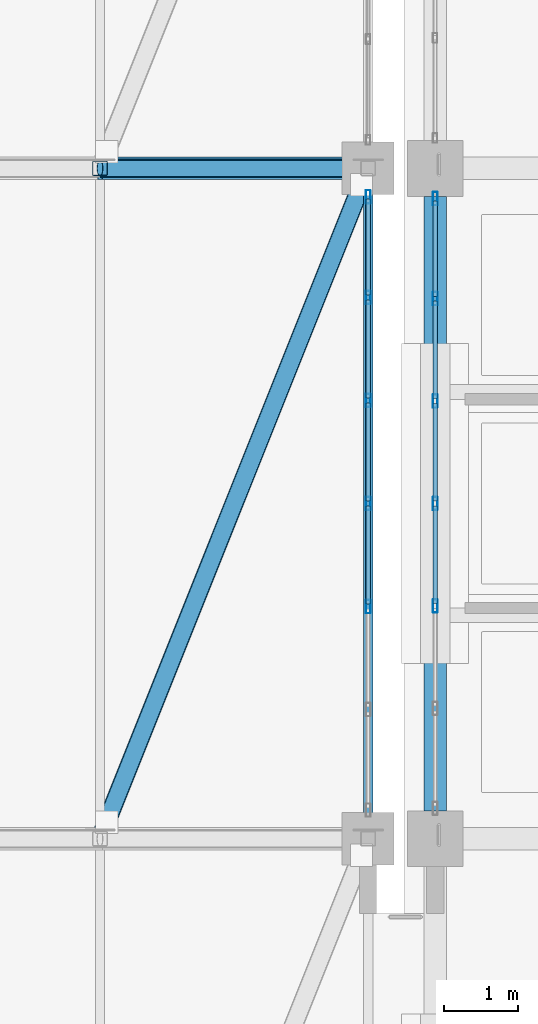
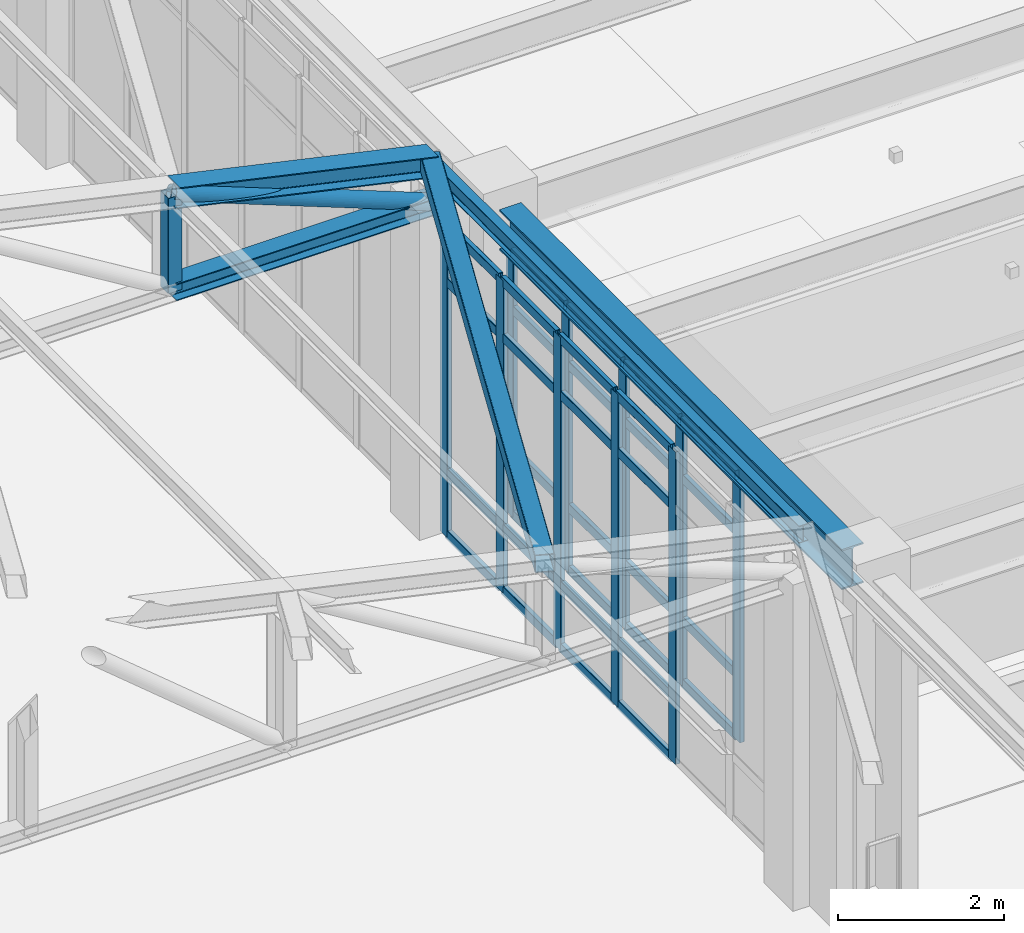
# One storey, part 46 of 139: 47 members, 2 beams, 2 elements without a shape of their own.
"""IFC4 building model written with IfcOpenShell, lengths in metres."""

from ifc_helpers import new_model, si_unit, direction, frame, origin, origin_2d, place, context, subcontext, project, spatial, hollow_rectangle, hollow_circle, i_section, extrude, material, material_profile, profile_set, type_object, element, aggregate, save


model = new_model("IFC4")

# Units and contexts
model_context = context("Model", 3, precision=1e-05, world=origin(), true_north=direction((0.0, 1.0)))
body_context = subcontext(model_context, "Body", "Model", "MODEL_VIEW")
ifc_project = project(units=[si_unit("LENGTHUNIT", "METRE"), si_unit("AREAUNIT", "SQUARE_METRE"), si_unit("VOLUMEUNIT", "CUBIC_METRE"), si_unit("PLANEANGLEUNIT", "RADIAN"), si_unit("MASSUNIT", "GRAM", prefix="KILO")], contexts=[model_context])

# Site, building, storey
site_placement = place(None, origin())
site = spatial("IfcSite", under=ifc_project, at=site_placement, CompositionType="ELEMENT")
building_placement = place(site_placement, origin())
building = spatial("IfcBuilding", under=site, at=building_placement, Name="Canglan Escarpment Cableway Terminal", CompositionType="ELEMENT")
storey_placement = place(building_placement, frame((0.0, 0.0, 14.39990234375)))
storey = spatial("IfcBuildingStorey", under=building, at=storey_placement, Name="L03", CompositionType="ELEMENT", Elevation=14.39990234375)

# Beams
ifc_material_1 = material(Name="Steel Q355C", Category="steel")
ifc_material_profile_1 = material_profile(ifc_material_1, i_section(OverallWidth=0.302001953125, OverallDepth=0.593994140625, WebThickness=0.013916015625, FlangeThickness=0.02294921875, FilletRadius=0.028076171875, at=origin_2d()), Name="HM 594x302x14x23")
ifc_profile_set_1 = profile_set([ifc_material_profile_1], Name="Steel Q355C")
beam_type_1 = type_object("IfcBeamType", Name="BM-HM594", PredefinedType="BEAM", material=ifc_profile_set_1)
beam_1_placement = place(storey_placement, frame((137.60009765625, 52.375, 4.203125), z_axis=(0.0, 1.0, 0.0), x_axis=(-1.0, 0.0, 0.0)))
element("IfcBeam", 1, at=beam_1_placement, inside=storey, type_object=beam_type_1, Name="Primary transverse girder B-07", PredefinedType="BEAM", context=body_context, shape_type="SweptSolid", body=[
    extrude(i_section(OverallWidth=0.302001953125, OverallDepth=0.593994140625, WebThickness=0.013916015625, FlangeThickness=0.02294921875, FilletRadius=0.028076171875, at=origin_2d()), origin(), (0.0, 0.0, 1.0), 8.25),
])
ifc_material_2 = material(Name="Steel Q355B", Category="steel")
ifc_material_profile_2 = material_profile(ifc_material_2, i_section(OverallWidth=0.300048828125, OverallDepth=0.300048828125, WebThickness=0.010009765625, FlangeThickness=0.014892578125, FilletRadius=0.01806640625, at=origin_2d()), Name="HW 300x300x10x15")
ifc_profile_set_2 = profile_set([ifc_material_profile_2], Name="Steel Q355B")
beam_type_2 = type_object("IfcBeamType", Name="BM-PRATT-TOP-HW300", PredefinedType="BEAM", material=ifc_profile_set_2)
beam_2_placement = place(storey_placement, frame((133.10009765625, 61.0, 6.050048828125), z_axis=(0.976182386713, 0.0, -0.216951487369), x_axis=(0.0, 1.0, 0.0)))
element("IfcBeam", 2, at=beam_2_placement, inside=storey, type_object=beam_type_2, Name="Cabin Garage ROOF TRUSS top chord PT-TC1", PredefinedType="BEAM", context=body_context, shape_type="SweptSolid", body=[
    extrude(i_section(OverallWidth=0.300048828125, OverallDepth=0.300048828125, WebThickness=0.010009765625, FlangeThickness=0.014892578125, FilletRadius=0.01806640625, at=origin_2d()), origin(), (0.0, 0.0, 1.0), 3.687744140625),
])

# Curtain wall, members
ifc_material_3 = material(Name="Anodized bronze aluminium and Low-E double glazing", Category="aluminium")
curtain_wall_type_1 = type_object("IfcCurtainWallType", Name="CW-BAY-8300x4600", PredefinedType="NOTDEFINED", material=ifc_material_3)
curtain_wall_1_placement = place(storey_placement, origin())
curtain_wall_1 = element("IfcCurtainWall", 3, at=curtain_wall_1_placement, inside=storey, type_object=curtain_wall_type_1, Name="Classical bay-between-piers glazed curtain wall CW-45", PredefinedType="NOTDEFINED")
ifc_material_4 = material(Name="Thermally broken anodized aluminium 6063-T6", Category="aluminium")
ifc_material_profile_3 = material_profile(ifc_material_4, hollow_rectangle(XDim=0.06494140625, YDim=0.179931640625, WallThickness=0.00390625, InnerFilletRadius=0.00390625, OuterFilletRadius=0.008056640625, at=origin_2d()), Name="ALU-MULL 65x180x4")
ifc_profile_set_3 = profile_set([ifc_material_profile_3], Name="Thermally broken anodized aluminium 6063-T6")
member_type_1 = type_object("IfcMemberType", Name="CWM-03", PredefinedType="MULLION", material=ifc_profile_set_3)
member_1_placement = place(storey_placement, frame((136.699951171875, 55.11669921875, 0.0), z_axis=(0.0, 0.0, 1.0), x_axis=(-1.0, 0.0, 0.0)))
member_1 = element("IfcMember", 4, at=member_1_placement, type_object=member_type_1, Name="CW-45 mullion 3", PredefinedType="MULLION", context=body_context, shape_type="SweptSolid", body=[
    extrude(hollow_rectangle(XDim=0.06494140625, YDim=0.179931640625, WallThickness=0.00390625, InnerFilletRadius=0.00390625, OuterFilletRadius=0.008056640625, at=origin_2d()), origin(), (0.0, 0.0, 1.0), 4.60009765625),
])
member_2_placement = place(storey_placement, frame((136.699951171875, 56.5, 0.0), z_axis=(0.0, 0.0, 1.0), x_axis=(-1.0, 0.0, 0.0)))
member_2 = element("IfcMember", 5, at=member_2_placement, type_object=member_type_1, Name="CW-45 mullion 4", PredefinedType="MULLION", context=body_context, shape_type="SweptSolid", body=[
    extrude(hollow_rectangle(XDim=0.06494140625, YDim=0.179931640625, WallThickness=0.00390625, InnerFilletRadius=0.00390625, OuterFilletRadius=0.008056640625, at=origin_2d()), origin(), (0.0, 0.0, 1.0), 4.60009765625),
])
member_3_placement = place(storey_placement, frame((136.699951171875, 57.88330078125, 0.0), z_axis=(0.0, 0.0, 1.0), x_axis=(-1.0, 0.0, 0.0)))
member_3 = element("IfcMember", 6, at=member_3_placement, type_object=member_type_1, Name="CW-45 mullion 5", PredefinedType="MULLION", context=body_context, shape_type="SweptSolid", body=[
    extrude(hollow_rectangle(XDim=0.06494140625, YDim=0.179931640625, WallThickness=0.00390625, InnerFilletRadius=0.00390625, OuterFilletRadius=0.008056640625, at=origin_2d()), origin(), (0.0, 0.0, 1.0), 4.60009765625),
])
member_4_placement = place(storey_placement, frame((136.699951171875, 59.2666015625, 0.0), z_axis=(0.0, 0.0, 1.0), x_axis=(-1.0, 0.0, 0.0)))
member_4 = element("IfcMember", 7, at=member_4_placement, type_object=member_type_1, Name="CW-45 mullion 6", PredefinedType="MULLION", context=body_context, shape_type="SweptSolid", body=[
    extrude(hollow_rectangle(XDim=0.06494140625, YDim=0.179931640625, WallThickness=0.00390625, InnerFilletRadius=0.00390625, OuterFilletRadius=0.008056640625, at=origin_2d()), origin(), (0.0, 0.0, 1.0), 4.60009765625),
])
member_5_placement = place(storey_placement, frame((136.699951171875, 60.617431640625, 0.0), z_axis=(0.0, 0.0, 1.0), x_axis=(-1.0, 0.0, 0.0)))
member_5 = element("IfcMember", 8, at=member_5_placement, type_object=member_type_1, Name="CW-45 mullion 7", PredefinedType="MULLION", context=body_context, shape_type="SweptSolid", body=[
    extrude(hollow_rectangle(XDim=0.06494140625, YDim=0.179931640625, WallThickness=0.00390625, InnerFilletRadius=0.00390625, OuterFilletRadius=0.008056640625, at=origin_2d()), origin(), (0.0, 0.0, 1.0), 4.60009765625),
])

curtain_wall_type_2 = type_object("IfcCurtainWallType", Name="CW-BAY-8250x3900", PredefinedType="NOTDEFINED", material=ifc_material_3)
curtain_wall_2_placement = place(storey_placement, origin())
curtain_wall_2 = element("IfcCurtainWall", 9, at=curtain_wall_2_placement, inside=storey, type_object=curtain_wall_type_2, Name="Classical bay-between-piers glazed curtain wall CW-62", PredefinedType="NOTDEFINED")
member_6_placement = place(storey_placement, frame((137.60009765625, 60.592529296875, 0.0), z_axis=(0.0, 0.0, 1.0), x_axis=(1.0, 0.0, 0.0)))
member_6 = element("IfcMember", 10, at=member_6_placement, type_object=member_type_1, Name="CW-62 mullion 1", PredefinedType="MULLION", context=body_context, shape_type="SweptSolid", body=[
    extrude(hollow_rectangle(XDim=0.06494140625, YDim=0.179931640625, WallThickness=0.00390625, InnerFilletRadius=0.00390625, OuterFilletRadius=0.008056640625, at=origin_2d()), origin(), (0.0, 0.0, 1.0), 3.89111328125),
])
member_7_placement = place(storey_placement, frame((137.60009765625, 59.25, 0.0), z_axis=(0.0, 0.0, 1.0), x_axis=(1.0, 0.0, 0.0)))
member_7 = element("IfcMember", 11, at=member_7_placement, type_object=member_type_1, Name="CW-62 mullion 2", PredefinedType="MULLION", context=body_context, shape_type="SweptSolid", body=[
    extrude(hollow_rectangle(XDim=0.06494140625, YDim=0.179931640625, WallThickness=0.00390625, InnerFilletRadius=0.00390625, OuterFilletRadius=0.008056640625, at=origin_2d()), origin(), (0.0, 0.0, 1.0), 3.89111328125),
])
member_8_placement = place(storey_placement, frame((137.60009765625, 57.875, 0.0), z_axis=(0.0, 0.0, 1.0), x_axis=(1.0, 0.0, 0.0)))
member_8 = element("IfcMember", 12, at=member_8_placement, type_object=member_type_1, Name="CW-62 mullion 3", PredefinedType="MULLION", context=body_context, shape_type="SweptSolid", body=[
    extrude(hollow_rectangle(XDim=0.06494140625, YDim=0.179931640625, WallThickness=0.00390625, InnerFilletRadius=0.00390625, OuterFilletRadius=0.008056640625, at=origin_2d()), origin(), (0.0, 0.0, 1.0), 3.89111328125),
])
member_9_placement = place(storey_placement, frame((137.60009765625, 56.5, 0.0), z_axis=(0.0, 0.0, 1.0), x_axis=(1.0, 0.0, 0.0)))
member_9 = element("IfcMember", 13, at=member_9_placement, type_object=member_type_1, Name="CW-62 mullion 4", PredefinedType="MULLION", context=body_context, shape_type="SweptSolid", body=[
    extrude(hollow_rectangle(XDim=0.06494140625, YDim=0.179931640625, WallThickness=0.00390625, InnerFilletRadius=0.00390625, OuterFilletRadius=0.008056640625, at=origin_2d()), origin(), (0.0, 0.0, 1.0), 3.89111328125),
])
member_10_placement = place(storey_placement, frame((137.60009765625, 55.125, 0.0), z_axis=(0.0, 0.0, 1.0), x_axis=(1.0, 0.0, 0.0)))
member_10 = element("IfcMember", 14, at=member_10_placement, type_object=member_type_1, Name="CW-62 mullion 5", PredefinedType="MULLION", context=body_context, shape_type="SweptSolid", body=[
    extrude(hollow_rectangle(XDim=0.06494140625, YDim=0.179931640625, WallThickness=0.00390625, InnerFilletRadius=0.00390625, OuterFilletRadius=0.008056640625, at=origin_2d()), origin(), (0.0, 0.0, 1.0), 3.89111328125),
])

# Member
ifc_material_profile_4 = material_profile(ifc_material_4, hollow_rectangle(XDim=0.06494140625, YDim=0.139892578125, WallThickness=0.00341796875, InnerFilletRadius=0.00341796875, OuterFilletRadius=0.007080078125, at=origin_2d()), Name="ALU-TRAN 65x140x3.5")
ifc_profile_set_4 = profile_set([ifc_material_profile_4], Name="Thermally broken anodized aluminium 6063-T6")
member_type_2 = type_object("IfcMemberType", Name="CWT-03", PredefinedType="USERDEFINED", material=ifc_profile_set_4)
member_11_placement = place(storey_placement, frame((136.699951171875, 55.149169921875, 0.03271484375), z_axis=(0.0, 1.0, 0.0), x_axis=(-1.0, 0.0, 0.0)))
member_11 = element("IfcMember", 15, at=member_11_placement, type_object=member_type_2, Name="CW-45 transom 3.1", ObjectType="TRANSOM", PredefinedType="USERDEFINED", context=body_context, shape_type="SweptSolid", body=[
    extrude(hollow_rectangle(XDim=0.06494140625, YDim=0.139892578125, WallThickness=0.00341796875, InnerFilletRadius=0.00341796875, OuterFilletRadius=0.007080078125, at=origin_2d()), origin(), (0.0, 0.0, 1.0), 1.318359375),
])

member_12_placement = place(storey_placement, frame((136.699951171875, 55.149169921875, 0.9501953125), z_axis=(0.0, 1.0, 0.0), x_axis=(-1.0, 0.0, 0.0)))
member_12 = element("IfcMember", 16, at=member_12_placement, type_object=member_type_2, Name="CW-45 transom 3.2", ObjectType="TRANSOM", PredefinedType="USERDEFINED", context=body_context, shape_type="SweptSolid", body=[
    extrude(hollow_rectangle(XDim=0.06494140625, YDim=0.139892578125, WallThickness=0.00341796875, InnerFilletRadius=0.00341796875, OuterFilletRadius=0.007080078125, at=origin_2d()), origin(), (0.0, 0.0, 1.0), 1.318359375),
])

member_13_placement = place(storey_placement, frame((136.699951171875, 55.149169921875, 3.75), z_axis=(0.0, 1.0, 0.0), x_axis=(-1.0, 0.0, 0.0)))
member_13 = element("IfcMember", 17, at=member_13_placement, type_object=member_type_2, Name="CW-45 transom 3.3", ObjectType="TRANSOM", PredefinedType="USERDEFINED", context=body_context, shape_type="SweptSolid", body=[
    extrude(hollow_rectangle(XDim=0.06494140625, YDim=0.139892578125, WallThickness=0.00341796875, InnerFilletRadius=0.00341796875, OuterFilletRadius=0.007080078125, at=origin_2d()), origin(), (0.0, 0.0, 1.0), 1.318359375),
])

member_14_placement = place(storey_placement, frame((136.699951171875, 55.149169921875, 4.567626953125), z_axis=(0.0, 1.0, 0.0), x_axis=(-1.0, 0.0, 0.0)))
member_14 = element("IfcMember", 18, at=member_14_placement, type_object=member_type_2, Name="CW-45 transom 3.4", ObjectType="TRANSOM", PredefinedType="USERDEFINED", context=body_context, shape_type="SweptSolid", body=[
    extrude(hollow_rectangle(XDim=0.06494140625, YDim=0.139892578125, WallThickness=0.00341796875, InnerFilletRadius=0.00341796875, OuterFilletRadius=0.007080078125, at=origin_2d()), origin(), (0.0, 0.0, 1.0), 1.318359375),
])

member_15_placement = place(storey_placement, frame((136.699951171875, 56.532470703125, 0.03271484375), z_axis=(0.0, 1.0, 0.0), x_axis=(-1.0, 0.0, 0.0)))
member_15 = element("IfcMember", 19, at=member_15_placement, type_object=member_type_2, Name="CW-45 transom 4.1", ObjectType="TRANSOM", PredefinedType="USERDEFINED", context=body_context, shape_type="SweptSolid", body=[
    extrude(hollow_rectangle(XDim=0.06494140625, YDim=0.139892578125, WallThickness=0.00341796875, InnerFilletRadius=0.00341796875, OuterFilletRadius=0.007080078125, at=origin_2d()), origin(), (0.0, 0.0, 1.0), 1.318359375),
])

member_16_placement = place(storey_placement, frame((136.699951171875, 56.532470703125, 0.9501953125), z_axis=(0.0, 1.0, 0.0), x_axis=(-1.0, 0.0, 0.0)))
member_16 = element("IfcMember", 20, at=member_16_placement, type_object=member_type_2, Name="CW-45 transom 4.2", ObjectType="TRANSOM", PredefinedType="USERDEFINED", context=body_context, shape_type="SweptSolid", body=[
    extrude(hollow_rectangle(XDim=0.06494140625, YDim=0.139892578125, WallThickness=0.00341796875, InnerFilletRadius=0.00341796875, OuterFilletRadius=0.007080078125, at=origin_2d()), origin(), (0.0, 0.0, 1.0), 1.318359375),
])

member_17_placement = place(storey_placement, frame((136.699951171875, 56.532470703125, 3.75), z_axis=(0.0, 1.0, 0.0), x_axis=(-1.0, 0.0, 0.0)))
member_17 = element("IfcMember", 21, at=member_17_placement, type_object=member_type_2, Name="CW-45 transom 4.3", ObjectType="TRANSOM", PredefinedType="USERDEFINED", context=body_context, shape_type="SweptSolid", body=[
    extrude(hollow_rectangle(XDim=0.06494140625, YDim=0.139892578125, WallThickness=0.00341796875, InnerFilletRadius=0.00341796875, OuterFilletRadius=0.007080078125, at=origin_2d()), origin(), (0.0, 0.0, 1.0), 1.318359375),
])

member_18_placement = place(storey_placement, frame((136.699951171875, 56.532470703125, 4.567626953125), z_axis=(0.0, 1.0, 0.0), x_axis=(-1.0, 0.0, 0.0)))
member_18 = element("IfcMember", 22, at=member_18_placement, type_object=member_type_2, Name="CW-45 transom 4.4", ObjectType="TRANSOM", PredefinedType="USERDEFINED", context=body_context, shape_type="SweptSolid", body=[
    extrude(hollow_rectangle(XDim=0.06494140625, YDim=0.139892578125, WallThickness=0.00341796875, InnerFilletRadius=0.00341796875, OuterFilletRadius=0.007080078125, at=origin_2d()), origin(), (0.0, 0.0, 1.0), 1.318359375),
])

member_19_placement = place(storey_placement, frame((136.699951171875, 57.915771484375, 0.03271484375), z_axis=(0.0, 1.0, 0.0), x_axis=(-1.0, 0.0, 0.0)))
member_19 = element("IfcMember", 23, at=member_19_placement, type_object=member_type_2, Name="CW-45 transom 5.1", ObjectType="TRANSOM", PredefinedType="USERDEFINED", context=body_context, shape_type="SweptSolid", body=[
    extrude(hollow_rectangle(XDim=0.06494140625, YDim=0.139892578125, WallThickness=0.00341796875, InnerFilletRadius=0.00341796875, OuterFilletRadius=0.007080078125, at=origin_2d()), origin(), (0.0, 0.0, 1.0), 1.318359375),
])

member_20_placement = place(storey_placement, frame((136.699951171875, 57.915771484375, 0.9501953125), z_axis=(0.0, 1.0, 0.0), x_axis=(-1.0, 0.0, 0.0)))
member_20 = element("IfcMember", 24, at=member_20_placement, type_object=member_type_2, Name="CW-45 transom 5.2", ObjectType="TRANSOM", PredefinedType="USERDEFINED", context=body_context, shape_type="SweptSolid", body=[
    extrude(hollow_rectangle(XDim=0.06494140625, YDim=0.139892578125, WallThickness=0.00341796875, InnerFilletRadius=0.00341796875, OuterFilletRadius=0.007080078125, at=origin_2d()), origin(), (0.0, 0.0, 1.0), 1.318359375),
])

member_21_placement = place(storey_placement, frame((136.699951171875, 57.915771484375, 3.75), z_axis=(0.0, 1.0, 0.0), x_axis=(-1.0, 0.0, 0.0)))
member_21 = element("IfcMember", 25, at=member_21_placement, type_object=member_type_2, Name="CW-45 transom 5.3", ObjectType="TRANSOM", PredefinedType="USERDEFINED", context=body_context, shape_type="SweptSolid", body=[
    extrude(hollow_rectangle(XDim=0.06494140625, YDim=0.139892578125, WallThickness=0.00341796875, InnerFilletRadius=0.00341796875, OuterFilletRadius=0.007080078125, at=origin_2d()), origin(), (0.0, 0.0, 1.0), 1.318359375),
])

member_22_placement = place(storey_placement, frame((136.699951171875, 57.915771484375, 4.567626953125), z_axis=(0.0, 1.0, 0.0), x_axis=(-1.0, 0.0, 0.0)))
member_22 = element("IfcMember", 26, at=member_22_placement, type_object=member_type_2, Name="CW-45 transom 5.4", ObjectType="TRANSOM", PredefinedType="USERDEFINED", context=body_context, shape_type="SweptSolid", body=[
    extrude(hollow_rectangle(XDim=0.06494140625, YDim=0.139892578125, WallThickness=0.00341796875, InnerFilletRadius=0.00341796875, OuterFilletRadius=0.007080078125, at=origin_2d()), origin(), (0.0, 0.0, 1.0), 1.318359375),
])

member_23_placement = place(storey_placement, frame((136.699951171875, 59.299072265625, 0.03271484375), z_axis=(0.0, 1.0, 0.0), x_axis=(-1.0, 0.0, 0.0)))
member_23 = element("IfcMember", 27, at=member_23_placement, type_object=member_type_2, Name="CW-45 transom 6.1", ObjectType="TRANSOM", PredefinedType="USERDEFINED", context=body_context, shape_type="SweptSolid", body=[
    extrude(hollow_rectangle(XDim=0.06494140625, YDim=0.139892578125, WallThickness=0.00341796875, InnerFilletRadius=0.00341796875, OuterFilletRadius=0.007080078125, at=origin_2d()), origin(), (0.0, 0.0, 1.0), 1.285888671875),
])

member_24_placement = place(storey_placement, frame((136.699951171875, 59.299072265625, 0.9501953125), z_axis=(0.0, 1.0, 0.0), x_axis=(-1.0, 0.0, 0.0)))
member_24 = element("IfcMember", 28, at=member_24_placement, type_object=member_type_2, Name="CW-45 transom 6.2", ObjectType="TRANSOM", PredefinedType="USERDEFINED", context=body_context, shape_type="SweptSolid", body=[
    extrude(hollow_rectangle(XDim=0.06494140625, YDim=0.139892578125, WallThickness=0.00341796875, InnerFilletRadius=0.00341796875, OuterFilletRadius=0.007080078125, at=origin_2d()), origin(), (0.0, 0.0, 1.0), 1.285888671875),
])

member_25_placement = place(storey_placement, frame((136.699951171875, 59.299072265625, 3.75), z_axis=(0.0, 1.0, 0.0), x_axis=(-1.0, 0.0, 0.0)))
member_25 = element("IfcMember", 29, at=member_25_placement, type_object=member_type_2, Name="CW-45 transom 6.3", ObjectType="TRANSOM", PredefinedType="USERDEFINED", context=body_context, shape_type="SweptSolid", body=[
    extrude(hollow_rectangle(XDim=0.06494140625, YDim=0.139892578125, WallThickness=0.00341796875, InnerFilletRadius=0.00341796875, OuterFilletRadius=0.007080078125, at=origin_2d()), origin(), (0.0, 0.0, 1.0), 1.285888671875),
])

member_26_placement = place(storey_placement, frame((136.699951171875, 59.299072265625, 4.567626953125), z_axis=(0.0, 1.0, 0.0), x_axis=(-1.0, 0.0, 0.0)))
member_26 = element("IfcMember", 30, at=member_26_placement, type_object=member_type_2, Name="CW-45 transom 6.4", ObjectType="TRANSOM", PredefinedType="USERDEFINED", context=body_context, shape_type="SweptSolid", body=[
    extrude(hollow_rectangle(XDim=0.06494140625, YDim=0.139892578125, WallThickness=0.00341796875, InnerFilletRadius=0.00341796875, OuterFilletRadius=0.007080078125, at=origin_2d()), origin(), (0.0, 0.0, 1.0), 1.285888671875),
])

aggregate(curtain_wall_1, [member_1, member_2, member_3, member_4, member_5, member_11, member_12, member_13, member_14, member_15, member_16, member_17, member_18, member_19, member_20, member_21, member_22, member_23, member_24, member_25, member_26])

member_27_placement = place(storey_placement, frame((137.60009765625, 60.56005859375, 0.03271484375), z_axis=(0.0, -1.0, 0.0), x_axis=(1.0, 0.0, 0.0)))
member_27 = element("IfcMember", 31, at=member_27_placement, type_object=member_type_2, Name="CW-62 transom 1.1", ObjectType="TRANSOM", PredefinedType="USERDEFINED", context=body_context, shape_type="SweptSolid", body=[
    extrude(hollow_rectangle(XDim=0.06494140625, YDim=0.139892578125, WallThickness=0.00341796875, InnerFilletRadius=0.00341796875, OuterFilletRadius=0.007080078125, at=origin_2d()), origin(), (0.0, 0.0, 1.0), 1.277587890625),
])

member_28_placement = place(storey_placement, frame((137.60009765625, 60.56005859375, 0.9501953125), z_axis=(0.0, -1.0, 0.0), x_axis=(1.0, 0.0, 0.0)))
member_28 = element("IfcMember", 32, at=member_28_placement, type_object=member_type_2, Name="CW-62 transom 1.2", ObjectType="TRANSOM", PredefinedType="USERDEFINED", context=body_context, shape_type="SweptSolid", body=[
    extrude(hollow_rectangle(XDim=0.06494140625, YDim=0.139892578125, WallThickness=0.00341796875, InnerFilletRadius=0.00341796875, OuterFilletRadius=0.007080078125, at=origin_2d()), origin(), (0.0, 0.0, 1.0), 1.277587890625),
])

member_29_placement = place(storey_placement, frame((137.60009765625, 60.56005859375, 3.041015625), z_axis=(0.0, -1.0, 0.0), x_axis=(1.0, 0.0, 0.0)))
member_29 = element("IfcMember", 33, at=member_29_placement, type_object=member_type_2, Name="CW-62 transom 1.3", ObjectType="TRANSOM", PredefinedType="USERDEFINED", context=body_context, shape_type="SweptSolid", body=[
    extrude(hollow_rectangle(XDim=0.06494140625, YDim=0.139892578125, WallThickness=0.00341796875, InnerFilletRadius=0.00341796875, OuterFilletRadius=0.007080078125, at=origin_2d()), origin(), (0.0, 0.0, 1.0), 1.277587890625),
])

member_30_placement = place(storey_placement, frame((137.60009765625, 60.56005859375, 3.858642578125), z_axis=(0.0, -1.0, 0.0), x_axis=(1.0, 0.0, 0.0)))
member_30 = element("IfcMember", 34, at=member_30_placement, type_object=member_type_2, Name="CW-62 transom 1.4", ObjectType="TRANSOM", PredefinedType="USERDEFINED", context=body_context, shape_type="SweptSolid", body=[
    extrude(hollow_rectangle(XDim=0.06494140625, YDim=0.139892578125, WallThickness=0.00341796875, InnerFilletRadius=0.00341796875, OuterFilletRadius=0.007080078125, at=origin_2d()), origin(), (0.0, 0.0, 1.0), 1.277587890625),
])

member_31_placement = place(storey_placement, frame((137.60009765625, 59.217529296875, 0.03271484375), z_axis=(0.0, -1.0, 0.0), x_axis=(1.0, 0.0, 0.0)))
member_31 = element("IfcMember", 35, at=member_31_placement, type_object=member_type_2, Name="CW-62 transom 2.1", ObjectType="TRANSOM", PredefinedType="USERDEFINED", context=body_context, shape_type="SweptSolid", body=[
    extrude(hollow_rectangle(XDim=0.06494140625, YDim=0.139892578125, WallThickness=0.00341796875, InnerFilletRadius=0.00341796875, OuterFilletRadius=0.007080078125, at=origin_2d()), origin(), (0.0, 0.0, 1.0), 1.31005859375),
])

member_32_placement = place(storey_placement, frame((137.60009765625, 59.217529296875, 0.9501953125), z_axis=(0.0, -1.0, 0.0), x_axis=(1.0, 0.0, 0.0)))
member_32 = element("IfcMember", 36, at=member_32_placement, type_object=member_type_2, Name="CW-62 transom 2.2", ObjectType="TRANSOM", PredefinedType="USERDEFINED", context=body_context, shape_type="SweptSolid", body=[
    extrude(hollow_rectangle(XDim=0.06494140625, YDim=0.139892578125, WallThickness=0.00341796875, InnerFilletRadius=0.00341796875, OuterFilletRadius=0.007080078125, at=origin_2d()), origin(), (0.0, 0.0, 1.0), 1.31005859375),
])

member_33_placement = place(storey_placement, frame((137.60009765625, 59.217529296875, 3.041015625), z_axis=(0.0, -1.0, 0.0), x_axis=(1.0, 0.0, 0.0)))
member_33 = element("IfcMember", 37, at=member_33_placement, type_object=member_type_2, Name="CW-62 transom 2.3", ObjectType="TRANSOM", PredefinedType="USERDEFINED", context=body_context, shape_type="SweptSolid", body=[
    extrude(hollow_rectangle(XDim=0.06494140625, YDim=0.139892578125, WallThickness=0.00341796875, InnerFilletRadius=0.00341796875, OuterFilletRadius=0.007080078125, at=origin_2d()), origin(), (0.0, 0.0, 1.0), 1.31005859375),
])

member_34_placement = place(storey_placement, frame((137.60009765625, 59.217529296875, 3.858642578125), z_axis=(0.0, -1.0, 0.0), x_axis=(1.0, 0.0, 0.0)))
member_34 = element("IfcMember", 38, at=member_34_placement, type_object=member_type_2, Name="CW-62 transom 2.4", ObjectType="TRANSOM", PredefinedType="USERDEFINED", context=body_context, shape_type="SweptSolid", body=[
    extrude(hollow_rectangle(XDim=0.06494140625, YDim=0.139892578125, WallThickness=0.00341796875, InnerFilletRadius=0.00341796875, OuterFilletRadius=0.007080078125, at=origin_2d()), origin(), (0.0, 0.0, 1.0), 1.31005859375),
])

member_35_placement = place(storey_placement, frame((137.60009765625, 57.842529296875, 0.03271484375), z_axis=(0.0, -1.0, 0.0), x_axis=(1.0, 0.0, 0.0)))
member_35 = element("IfcMember", 39, at=member_35_placement, type_object=member_type_2, Name="CW-62 transom 3.1", ObjectType="TRANSOM", PredefinedType="USERDEFINED", context=body_context, shape_type="SweptSolid", body=[
    extrude(hollow_rectangle(XDim=0.06494140625, YDim=0.139892578125, WallThickness=0.00341796875, InnerFilletRadius=0.00341796875, OuterFilletRadius=0.007080078125, at=origin_2d()), origin(), (0.0, 0.0, 1.0), 1.31005859375),
])

member_36_placement = place(storey_placement, frame((137.60009765625, 57.842529296875, 0.9501953125), z_axis=(0.0, -1.0, 0.0), x_axis=(1.0, 0.0, 0.0)))
member_36 = element("IfcMember", 40, at=member_36_placement, type_object=member_type_2, Name="CW-62 transom 3.2", ObjectType="TRANSOM", PredefinedType="USERDEFINED", context=body_context, shape_type="SweptSolid", body=[
    extrude(hollow_rectangle(XDim=0.06494140625, YDim=0.139892578125, WallThickness=0.00341796875, InnerFilletRadius=0.00341796875, OuterFilletRadius=0.007080078125, at=origin_2d()), origin(), (0.0, 0.0, 1.0), 1.31005859375),
])

member_37_placement = place(storey_placement, frame((137.60009765625, 57.842529296875, 3.041015625), z_axis=(0.0, -1.0, 0.0), x_axis=(1.0, 0.0, 0.0)))
member_37 = element("IfcMember", 41, at=member_37_placement, type_object=member_type_2, Name="CW-62 transom 3.3", ObjectType="TRANSOM", PredefinedType="USERDEFINED", context=body_context, shape_type="SweptSolid", body=[
    extrude(hollow_rectangle(XDim=0.06494140625, YDim=0.139892578125, WallThickness=0.00341796875, InnerFilletRadius=0.00341796875, OuterFilletRadius=0.007080078125, at=origin_2d()), origin(), (0.0, 0.0, 1.0), 1.31005859375),
])

member_38_placement = place(storey_placement, frame((137.60009765625, 57.842529296875, 3.858642578125), z_axis=(0.0, -1.0, 0.0), x_axis=(1.0, 0.0, 0.0)))
member_38 = element("IfcMember", 42, at=member_38_placement, type_object=member_type_2, Name="CW-62 transom 3.4", ObjectType="TRANSOM", PredefinedType="USERDEFINED", context=body_context, shape_type="SweptSolid", body=[
    extrude(hollow_rectangle(XDim=0.06494140625, YDim=0.139892578125, WallThickness=0.00341796875, InnerFilletRadius=0.00341796875, OuterFilletRadius=0.007080078125, at=origin_2d()), origin(), (0.0, 0.0, 1.0), 1.31005859375),
])

member_39_placement = place(storey_placement, frame((137.60009765625, 56.467529296875, 0.03271484375), z_axis=(0.0, -1.0, 0.0), x_axis=(1.0, 0.0, 0.0)))
member_39 = element("IfcMember", 43, at=member_39_placement, type_object=member_type_2, Name="CW-62 transom 4.1", ObjectType="TRANSOM", PredefinedType="USERDEFINED", context=body_context, shape_type="SweptSolid", body=[
    extrude(hollow_rectangle(XDim=0.06494140625, YDim=0.139892578125, WallThickness=0.00341796875, InnerFilletRadius=0.00341796875, OuterFilletRadius=0.007080078125, at=origin_2d()), origin(), (0.0, 0.0, 1.0), 1.31005859375),
])

member_40_placement = place(storey_placement, frame((137.60009765625, 56.467529296875, 0.9501953125), z_axis=(0.0, -1.0, 0.0), x_axis=(1.0, 0.0, 0.0)))
member_40 = element("IfcMember", 44, at=member_40_placement, type_object=member_type_2, Name="CW-62 transom 4.2", ObjectType="TRANSOM", PredefinedType="USERDEFINED", context=body_context, shape_type="SweptSolid", body=[
    extrude(hollow_rectangle(XDim=0.06494140625, YDim=0.139892578125, WallThickness=0.00341796875, InnerFilletRadius=0.00341796875, OuterFilletRadius=0.007080078125, at=origin_2d()), origin(), (0.0, 0.0, 1.0), 1.31005859375),
])

member_41_placement = place(storey_placement, frame((137.60009765625, 56.467529296875, 3.041015625), z_axis=(0.0, -1.0, 0.0), x_axis=(1.0, 0.0, 0.0)))
member_41 = element("IfcMember", 45, at=member_41_placement, type_object=member_type_2, Name="CW-62 transom 4.3", ObjectType="TRANSOM", PredefinedType="USERDEFINED", context=body_context, shape_type="SweptSolid", body=[
    extrude(hollow_rectangle(XDim=0.06494140625, YDim=0.139892578125, WallThickness=0.00341796875, InnerFilletRadius=0.00341796875, OuterFilletRadius=0.007080078125, at=origin_2d()), origin(), (0.0, 0.0, 1.0), 1.31005859375),
])

member_42_placement = place(storey_placement, frame((137.60009765625, 56.467529296875, 3.858642578125), z_axis=(0.0, -1.0, 0.0), x_axis=(1.0, 0.0, 0.0)))
member_42 = element("IfcMember", 46, at=member_42_placement, type_object=member_type_2, Name="CW-62 transom 4.4", ObjectType="TRANSOM", PredefinedType="USERDEFINED", context=body_context, shape_type="SweptSolid", body=[
    extrude(hollow_rectangle(XDim=0.06494140625, YDim=0.139892578125, WallThickness=0.00341796875, InnerFilletRadius=0.00341796875, OuterFilletRadius=0.007080078125, at=origin_2d()), origin(), (0.0, 0.0, 1.0), 1.31005859375),
])

aggregate(curtain_wall_2, [member_6, member_7, member_8, member_9, member_10, member_27, member_28, member_29, member_30, member_31, member_32, member_33, member_34, member_35, member_36, member_37, member_38, member_39, member_40, member_41, member_42])

# Members
ifc_material_profile_5 = material_profile(ifc_material_2, hollow_rectangle(XDim=0.25, YDim=0.25, WallThickness=0.010009765625, InnerFilletRadius=0.010009765625, OuterFilletRadius=0.02001953125, at=origin_2d()), Name="SHS 250x250x10")
ifc_profile_set_5 = profile_set([ifc_material_profile_5], Name="Steel Q355B")
member_type_3 = type_object("IfcMemberType", Name="MB-FRAME-BR-SHS250", PredefinedType="BRACE", material=ifc_profile_set_5)
member_43_placement = place(storey_placement, frame((133.10009765625, 52.0, 6.050048828125), z_axis=(0.37011910414, 0.925335412344, -0.082257056919), x_axis=(-0.928481901832, 0.371377648723, 0.0)))
element("IfcMember", 47, at=member_43_placement, inside=storey, type_object=member_type_3, Name="Cabin Garage roof lateral brace BR-02", PredefinedType="BRACE", context=body_context, shape_type="SweptSolid", body=[
    extrude(hollow_rectangle(XDim=0.25, YDim=0.25, WallThickness=0.010009765625, InnerFilletRadius=0.010009765625, OuterFilletRadius=0.02001953125, at=origin_2d()), origin(), (0.0, 0.0, 1.0), 9.726318359375),
])
ifc_material_profile_6 = material_profile(ifc_material_2, i_section(OverallWidth=0.125, OverallDepth=0.25, WebThickness=0.006103515625, FlangeThickness=0.009033203125, FilletRadius=0.011962890625, at=origin_2d()), Name="HN 250x125x6x9")
ifc_profile_set_6 = profile_set([ifc_material_profile_6], Name="Steel Q355B")
member_type_4 = type_object("IfcMemberType", Name="MB-GARAGE-PUR-HN250", PredefinedType="PURLIN", material=ifc_profile_set_6)
member_44_placement = place(storey_placement, frame((136.699951171875, 52.0, 5.22998046875), z_axis=(0.0, 1.0, 0.0), x_axis=(-1.0, 0.0, 0.0)))
element("IfcMember", 48, at=member_44_placement, inside=storey, type_object=member_type_4, Name="Cabin Garage roof purlin PR-02", PredefinedType="PURLIN", context=body_context, shape_type="SweptSolid", body=[
    extrude(i_section(OverallWidth=0.125, OverallDepth=0.25, WebThickness=0.006103515625, FlangeThickness=0.009033203125, FilletRadius=0.011962890625, at=origin_2d()), origin(), (0.0, 0.0, 1.0), 9.0),
])
ifc_material_profile_7 = material_profile(ifc_material_2, i_section(OverallWidth=0.25, OverallDepth=0.25, WebThickness=0.009033203125, FlangeThickness=0.013916015625, FilletRadius=0.01611328125, at=origin_2d()), Name="HW 250x250x9x14")
ifc_profile_set_7 = profile_set([ifc_material_profile_7], Name="Steel Q355B")
member_type_5 = type_object("IfcMemberType", Name="MB-PRATT-BOT-HW250", PredefinedType="CHORD", material=ifc_profile_set_7)
member_45_placement = place(storey_placement, frame((133.10009765625, 61.0, 4.650146484375), z_axis=(1.0, 0.0, 0.0), x_axis=(0.0, 1.0, 0.0)))
element("IfcMember", 49, at=member_45_placement, inside=storey, type_object=member_type_5, Name="Cabin Garage ROOF TRUSS bottom chord PT-BC1", PredefinedType="CHORD", context=body_context, shape_type="SweptSolid", body=[
    extrude(i_section(OverallWidth=0.25, OverallDepth=0.25, WebThickness=0.009033203125, FlangeThickness=0.013916015625, FilletRadius=0.01611328125, at=origin_2d()), origin(), (0.0, 0.0, 1.0), 3.599853515625),
])
ifc_material_profile_8 = material_profile(ifc_material_2, hollow_circle(Radius=0.109619140625, WallThickness=0.008056640625, at=origin_2d()), Name="CHS 219.1x8")
ifc_profile_set_8 = profile_set([ifc_material_profile_8], Name="Steel Q355B")
member_type_6 = type_object("IfcMemberType", Name="MB-PRATT-DIAG-CHS219", PredefinedType="BRACE", material=ifc_profile_set_8)
member_46_placement = place(storey_placement, frame((133.10009765625, 61.0, 6.050048828125), z_axis=(0.932008230148, 0.0, -0.36243711032), x_axis=(0.0, 1.0, 0.0)))
element("IfcMember", 50, at=member_46_placement, inside=storey, type_object=member_type_6, Name="Cabin Garage ROOF TRUSS diagonal PT-DG1", PredefinedType="BRACE", context=body_context, shape_type="SweptSolid", body=[
    extrude(hollow_circle(Radius=0.109619140625, WallThickness=0.008056640625, at=origin_2d()), origin(), (0.0, 0.0, 1.0), 3.862548828125),
])
ifc_material_profile_9 = material_profile(ifc_material_2, hollow_rectangle(XDim=0.199951171875, YDim=0.199951171875, WallThickness=0.008056640625, InnerFilletRadius=0.008056640625, OuterFilletRadius=0.01611328125, at=origin_2d()), Name="SHS 200x200x8")
ifc_profile_set_9 = profile_set([ifc_material_profile_9], Name="Steel Q355B")
member_type_7 = type_object("IfcMemberType", Name="MB-PRATT-WEB-SHS200", PredefinedType="BRACE", material=ifc_profile_set_9)
member_47_placement = place(storey_placement, frame((133.10009765625, 61.0, 4.650146484375), z_axis=(0.0, 0.0, 1.0), x_axis=(1.0, 0.0, 0.0)))
element("IfcMember", 51, at=member_47_placement, inside=storey, type_object=member_type_7, Name="Cabin Garage ROOF TRUSS strut PT-WB1", PredefinedType="BRACE", context=body_context, shape_type="SweptSolid", body=[
    extrude(hollow_rectangle(XDim=0.199951171875, YDim=0.199951171875, WallThickness=0.008056640625, InnerFilletRadius=0.008056640625, OuterFilletRadius=0.01611328125, at=origin_2d()), origin(), (0.0, 0.0, 1.0), 1.39990234375),
])

save(model, "model.ifc")
